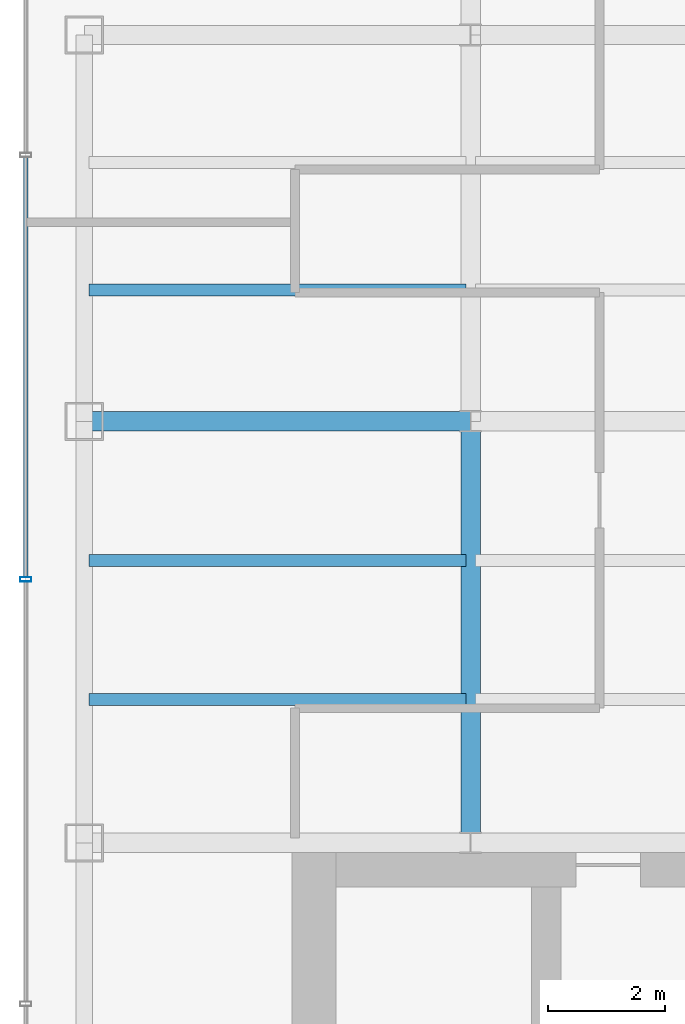
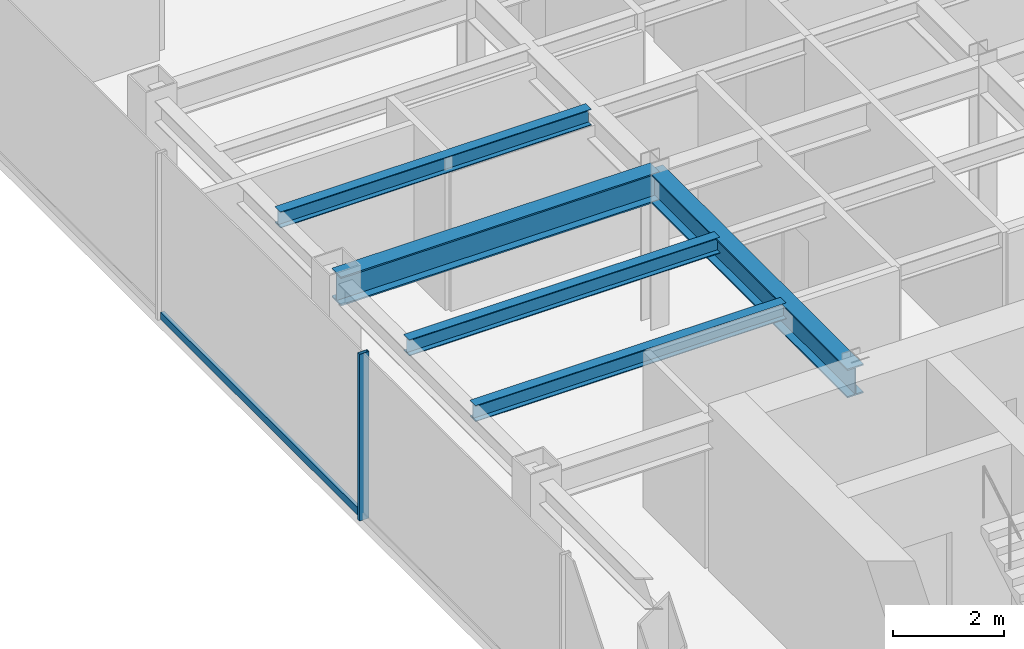
# One storey, part 5 of 25: 5 beams, 2 members, 1 element without a shape of its own.
"""IFC4 building model written with IfcOpenShell, lengths in metres."""

from ifc_helpers import new_model, si_unit, derived_unit, direction, frame, origin, origin_2d, place, context, subcontext, project, spatial, hollow_rectangle, i_section, extrude, source, transform, mapped, material, material_profile, profile_set, type_object, element, aggregate, save


model = new_model("IFC4")

# Units and contexts
model_context = context("Model", 3, precision=1e-05, world=origin(), true_north=direction((0.0, 1.0)))
body_context = subcontext(model_context, "Body", "Model", "MODEL_VIEW")
ifc_project = project(units=[si_unit("LENGTHUNIT", "METRE"), si_unit("AREAUNIT", "SQUARE_METRE"), si_unit("VOLUMEUNIT", "CUBIC_METRE"), si_unit("PLANEANGLEUNIT", "RADIAN"), si_unit("MASSUNIT", "GRAM", prefix="KILO"), derived_unit("THERMALTRANSMITTANCEUNIT", [(si_unit("POWERUNIT", "WATT"), 1), (si_unit("LENGTHUNIT", "METRE"), -2), (si_unit("THERMODYNAMICTEMPERATUREUNIT", "KELVIN"), -1)])], contexts=[model_context])

# Site, building, storey
site_placement = place(None, origin())
site = spatial("IfcSite", under=ifc_project, at=site_placement, CompositionType="ELEMENT")
building_placement = place(site_placement, origin())
building = spatial("IfcBuilding", under=site, at=building_placement, Name="Skarnbrae Concourse Arena and Tower", CompositionType="ELEMENT")
storey_placement = place(building_placement, frame((0.0, 0.0, 155.199951171875)))
storey = spatial("IfcBuildingStorey", under=building, at=storey_placement, Name="L39", CompositionType="ELEMENT", Elevation=155.199951171875)

# Beams
ifc_material_1 = material(Name="Steel CSA G40.21 350W", Category="steel")
ifc_material_profile_1 = material_profile(ifc_material_1, i_section(OverallWidth=0.3291015625, OverallDepth=0.635009765625, WebThickness=0.017822265625, FlangeThickness=0.031005859375, at=origin_2d()), Name="W610X241")
ifc_profile_set_1 = profile_set([ifc_material_profile_1], Name="Steel CSA G40.21 350W")
beam_type_1 = type_object("IfcBeamType", Name="BM-GIRD-W610X241", PredefinedType="BEAM", material=ifc_profile_set_1)
shared_shape_1 = source(origin(), body_context, "Body", "SweptSolid", [
    extrude(i_section(OverallWidth=0.3291015625, OverallDepth=0.635009765625, WebThickness=0.017822265625, FlangeThickness=0.031005859375, at=origin_2d()), origin(), (0.0, 0.0, 1.0), 6.60009765625),
])
beam_1_placement = place(storey_placement, frame((1.0, 21.199951171875, 3.08251953125), z_axis=(1.0, 0.0, 0.0), x_axis=(0.0, 1.0, 0.0)))
element("IfcBeam", 1, at=beam_1_placement, inside=storey, type_object=beam_type_1, Name="L39 Primary E-W girder Y21.2-1", PredefinedType="BEAM", context=body_context, shape_type="MappedRepresentation", body=[
    mapped(shared_shape_1, transform((0.0, 0.0, 0.0))),
])
shared_shape_2 = source(origin(), body_context, "Body", "SweptSolid", [
    extrude(i_section(OverallWidth=0.3291015625, OverallDepth=0.635009765625, WebThickness=0.017822265625, FlangeThickness=0.031005859375, at=origin_2d()), origin(), (0.0, 0.0, 1.0), 7.199951171875),
])
beam_2_placement = place(storey_placement, frame((7.60009765625, 14.0, 3.08251953125), z_axis=(0.0, 1.0, 0.0), x_axis=(-1.0, 0.0, 0.0)))
element("IfcBeam", 2, at=beam_2_placement, inside=storey, type_object=beam_type_1, Name="L39 Primary N-S girder X7.6-1", PredefinedType="BEAM", context=body_context, shape_type="MappedRepresentation", body=[
    mapped(shared_shape_2, transform((0.0, 0.0, 0.0))),
])
ifc_material_profile_2 = material_profile(ifc_material_1, i_section(OverallWidth=0.205078125, OverallDepth=0.35400390625, WebThickness=0.009521484375, FlangeThickness=0.016845703125, at=origin_2d()), Name="W360X79")
ifc_profile_set_2 = profile_set([ifc_material_profile_2], Name="Steel CSA G40.21 350W")
beam_type_2 = type_object("IfcBeamType", Name="BM-JOIST-W360X79", PredefinedType="JOIST", material=ifc_profile_set_2)
shared_shape_3 = source(origin(), body_context, "Body", "SweptSolid", [
    extrude(i_section(OverallWidth=0.205078125, OverallDepth=0.35400390625, WebThickness=0.009521484375, FlangeThickness=0.016845703125, at=origin_2d()), origin(), (0.0, 0.0, 1.0), 6.43994140625),
])
for number, where, z_axis, x_axis, name in (
    (3, (1.080078125, 16.447998046875, 3.22314453125), (1.0, 0.0, 0.0), (0.0, 1.0, 0.0), "L39 Secondary floor joist 1.1.1"),
    (4, (1.080078125, 18.823974609375, 3.22314453125), (1.0, 0.0, 0.0), (0.0, 1.0, 0.0), "L39 Secondary floor joist 1.2.1"),
    (5, (1.080078125, 23.444091796875, 3.22314453125), (1.0, 0.0, 0.0), (0.0, 1.0, 0.0), "L39 Secondary floor joist 2.1.1"),
):
    element("IfcBeam", number, at=place(storey_placement, frame(where, z_axis=z_axis, x_axis=x_axis)), inside=storey, type_object=beam_type_2, Name=name, PredefinedType="JOIST", context=body_context, shape_type="MappedRepresentation", body=[
        mapped(shared_shape_3, transform((0.0, 0.0, 0.0))),
    ])

# Curtain wall, members
ifc_material_2 = material(Name="Bronze anodised aluminium 6063-T6", Category="aluminium")
curtain_wall_type = type_object("IfcCurtainWallType", Name="CW-SYS-04-MIDZONE", PredefinedType="USERDEFINED", material=ifc_material_2)
curtain_wall_placement = place(storey_placement, origin())
curtain_wall = element("IfcCurtainWall", 6, at=curtain_wall_placement, inside=storey, type_object=curtain_wall_type, Name="L39 Unitised curtain wall CW-L39-E18", ObjectType="UNITISED CURTAIN WALL", PredefinedType="USERDEFINED")
ifc_material_profile_3 = material_profile(ifc_material_2, hollow_rectangle(XDim=0.074951171875, YDim=0.195068359375, WallThickness=0.00439453125, at=origin_2d()), Name="ALU-MULL-75X195")
ifc_profile_set_3 = profile_set([ifc_material_profile_3], Name="Bronze anodised aluminium 6063-T6")
member_type_1 = type_object("IfcMemberType", Name="CWM-CW-04", PredefinedType="MULLION", material=ifc_profile_set_3)
shared_shape_4 = source(origin(), body_context, "Body", "SweptSolid", [
    extrude(hollow_rectangle(XDim=0.074951171875, YDim=0.195068359375, WallThickness=0.00439453125, at=origin_2d()), origin(), (0.0, 0.0, 1.0), 3.650146484375),
])
member_1_placement = place(storey_placement, frame((0.0, 18.5, 0.0), z_axis=(0.0, 0.0, 1.0), x_axis=(0.0, -1.0, 0.0)))
member_1 = element("IfcMember", 7, at=member_1_placement, type_object=member_type_1, Name="CW-L39-E18 Mullion 3", PredefinedType="MULLION", context=body_context, shape_type="MappedRepresentation", body=[
    mapped(shared_shape_4, transform((0.0, 0.0, 0.0))),
])
ifc_material_profile_4 = material_profile(ifc_material_2, hollow_rectangle(XDim=0.074951171875, YDim=0.159912109375, WallThickness=0.00439453125, at=origin_2d()), Name="ALU-TRAN-75X160")
ifc_profile_set_4 = profile_set([ifc_material_profile_4], Name="Bronze anodised aluminium 6063-T6")
member_type_2 = type_object("IfcMemberType", Name="CWT-CW-04", PredefinedType="USERDEFINED", material=ifc_profile_set_4)
shared_shape_5 = source(origin(), body_context, "Body", "SweptSolid", [
    extrude(hollow_rectangle(XDim=0.074951171875, YDim=0.159912109375, WallThickness=0.00439453125, at=origin_2d()), origin(), (0.0, 0.0, 1.0), 7.1748046875),
])
member_2_placement = place(storey_placement, frame((0.0, 25.71240234375, 0.080078125), z_axis=(0.0, -1.0, 0.0), x_axis=(1.0, 0.0, 0.0)))
member_2 = element("IfcMember", 8, at=member_2_placement, type_object=member_type_2, Name="CW-L39-E18 Transom 2", ObjectType="TRANSOM", PredefinedType="USERDEFINED", context=body_context, shape_type="MappedRepresentation", body=[
    mapped(shared_shape_5, transform((0.0, 0.0, 0.0))),
])
aggregate(curtain_wall, [member_1, member_2])

save(model, "model.ifc")
